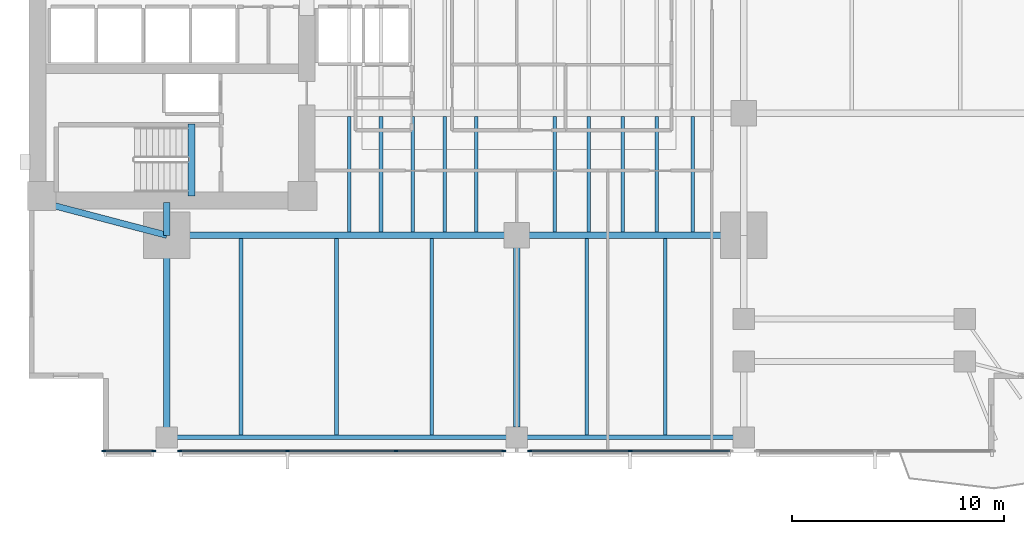
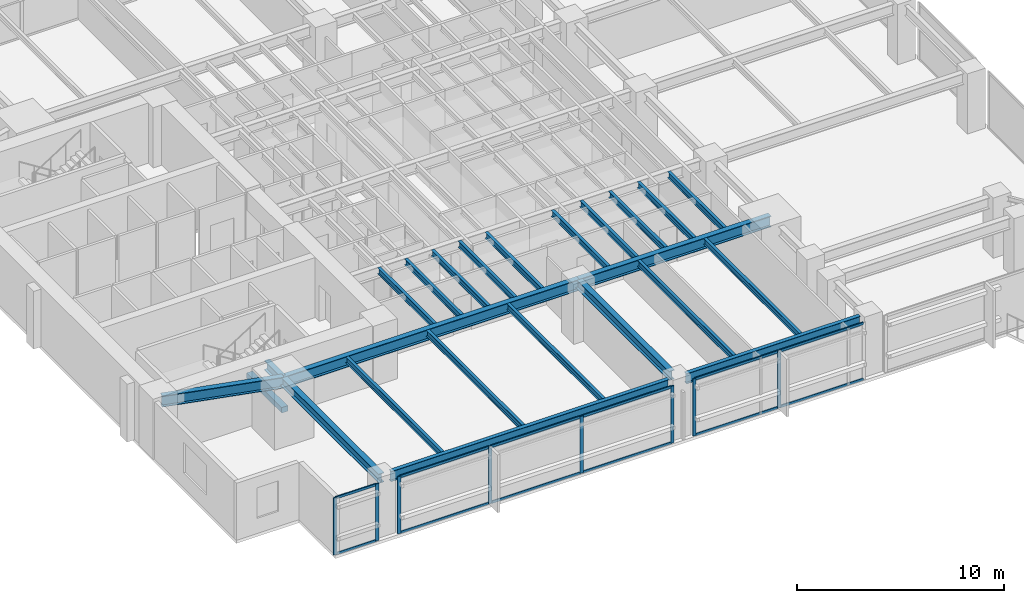
# One storey, part 2 of 15: 24 beams, 20 members, 3 elements without a shape of their own.
"""IFC4 building model written with IfcOpenShell, lengths in metres."""

from ifc_helpers import new_model, si_unit, direction, frame, origin, origin_2d, place, context, subcontext, project, spatial, rectangle, i_section, extrude, material, layer, layer_set, material_profile, profile_set, type_object, element, aggregate, save


model = new_model("IFC4")

# Units and contexts
model_context = context("Model", 3, precision=1e-05, world=origin(), true_north=direction((0.0, 1.0)))
body_context = subcontext(model_context, "Body", "Model", "MODEL_VIEW")
ifc_project = project(units=[si_unit("LENGTHUNIT", "METRE"), si_unit("AREAUNIT", "SQUARE_METRE"), si_unit("VOLUMEUNIT", "CUBIC_METRE"), si_unit("PLANEANGLEUNIT", "RADIAN"), si_unit("MASSUNIT", "GRAM", prefix="KILO")], contexts=[model_context])

# Site, building, storey
site_placement = place(None, origin())
site = spatial("IfcSite", under=ifc_project, at=site_placement, CompositionType="ELEMENT")
building_placement = place(site_placement, origin())
building = spatial("IfcBuilding", under=site, at=building_placement, Name="Kinhvarn Gate Tower", CompositionType="ELEMENT")
storey_placement = place(building_placement, frame((0.0, 0.0, 68.199951171875)))
storey = spatial("IfcBuildingStorey", under=building, at=storey_placement, Name="L17", CompositionType="ELEMENT", Elevation=68.199951171875)

# Beam
ifc_material_1 = material(Name="Concrete C50/60", Category="concrete")
ifc_material_profile_1 = material_profile(ifc_material_1, rectangle(XDim=0.340087890625, YDim=0.320068359375, at=origin_2d()), Name="RC 340x320")
ifc_profile_set_1 = profile_set([ifc_material_profile_1], Name="Concrete C50/60")
beam_type_1 = type_object("IfcBeamType", Name="BM-LND-500", PredefinedType="BEAM", material=ifc_profile_set_1)
beam_1_placement = place(storey_placement, frame((12.1650390625, 14.60009765625, -0.159912109375), z_axis=(0.0, 1.0, 0.0), x_axis=(-1.0, 0.0, 0.0)))
element("IfcBeam", 1, at=beam_1_placement, inside=storey, type_object=beam_type_1, Name="Stair ST1 Landing Nosing Beam (L17)", PredefinedType="BEAM", context=body_context, shape_type="SweptSolid", body=[
    extrude(rectangle(XDim=0.340087890625, YDim=0.320068359375, at=origin_2d()), origin(), (0.0, 0.0, 1.0), 3.39990234375),
])

# Curtain wall, members
ifc_material_2 = material(Name="Anodised aluminium AW-6063", Category="aluminium")
ifc_layer = layer(ifc_material_2, 0.179931640625)
ifc_layer_set = layer_set([ifc_layer], Name="Anodised aluminium AW-6063")
curtain_wall_type = type_object("IfcCurtainWallType", Name="CW-SYS-2", PredefinedType="NOTDEFINED", material=ifc_layer_set)
curtain_wall_1_placement = place(storey_placement, origin())
curtain_wall_1 = element("IfcCurtainWall", 2, at=curtain_wall_1_placement, inside=storey, type_object=curtain_wall_type, Name="Curtain Wall CW2 (L17)", PredefinedType="NOTDEFINED")
ifc_material_profile_2 = material_profile(ifc_material_2, rectangle(XDim=0.070068359375, YDim=0.179931640625, at=origin_2d()), Name="ALU 70x180")
ifc_profile_set_2 = profile_set([ifc_material_profile_2], Name="Anodised aluminium AW-6063")
member_type_1 = type_object("IfcMemberType", Name="CW-MUL-180", PredefinedType="MULLION", material=ifc_profile_set_2)
member_1_placement = place(storey_placement, frame((8.034912109375, 2.590087890625, 0.0), z_axis=(0.0, 0.0, 1.0), x_axis=(0.0, 1.0, 0.0)))
member_1 = element("IfcMember", 3, at=member_1_placement, type_object=member_type_1, Name="CW2 mullion 1", PredefinedType="MULLION", context=body_context, shape_type="SweptSolid", body=[
    extrude(rectangle(XDim=0.070068359375, YDim=0.179931640625, at=origin_2d()), origin(), (0.0, 0.0, 1.0), 3.3701171875),
])
member_2_placement = place(storey_placement, frame((10.385009765625, 2.590087890625, 0.0), z_axis=(0.0, 0.0, 1.0), x_axis=(0.0, 1.0, 0.0)))
member_2 = element("IfcMember", 4, at=member_2_placement, type_object=member_type_1, Name="CW2 mullion 2", PredefinedType="MULLION", context=body_context, shape_type="SweptSolid", body=[
    extrude(rectangle(XDim=0.070068359375, YDim=0.179931640625, at=origin_2d()), origin(), (0.0, 0.0, 1.0), 3.3701171875),
])

curtain_wall_2_placement = place(storey_placement, origin())
curtain_wall_2 = element("IfcCurtainWall", 5, at=curtain_wall_2_placement, inside=storey, type_object=curtain_wall_type, Name="Curtain Wall CW2 (L17)", PredefinedType="NOTDEFINED")
member_3_placement = place(storey_placement, frame((11.614990234375, 2.590087890625, 0.0), z_axis=(0.0, 0.0, 1.0), x_axis=(0.0, 1.0, 0.0)))
member_3 = element("IfcMember", 6, at=member_3_placement, type_object=member_type_1, Name="CW2 mullion 1", PredefinedType="MULLION", context=body_context, shape_type="SweptSolid", body=[
    extrude(rectangle(XDim=0.070068359375, YDim=0.179931640625, at=origin_2d()), origin(), (0.0, 0.0, 1.0), 3.3701171875),
])
member_4_placement = place(storey_placement, frame((16.693359375, 2.590087890625, 0.0), z_axis=(0.0, 0.0, 1.0), x_axis=(0.0, 1.0, 0.0)))
member_4 = element("IfcMember", 7, at=member_4_placement, type_object=member_type_1, Name="CW2 mullion 2", PredefinedType="MULLION", context=body_context, shape_type="SweptSolid", body=[
    extrude(rectangle(XDim=0.070068359375, YDim=0.179931640625, at=origin_2d()), origin(), (0.0, 0.0, 1.0), 3.3701171875),
])
member_5_placement = place(storey_placement, frame((21.806640625, 2.590087890625, 0.0), z_axis=(0.0, 0.0, 1.0), x_axis=(0.0, 1.0, 0.0)))
member_5 = element("IfcMember", 8, at=member_5_placement, type_object=member_type_1, Name="CW2 mullion 3", PredefinedType="MULLION", context=body_context, shape_type="SweptSolid", body=[
    extrude(rectangle(XDim=0.070068359375, YDim=0.179931640625, at=origin_2d()), origin(), (0.0, 0.0, 1.0), 3.3701171875),
])
member_6_placement = place(storey_placement, frame((26.885009765625, 2.590087890625, 0.0), z_axis=(0.0, 0.0, 1.0), x_axis=(0.0, 1.0, 0.0)))
member_6 = element("IfcMember", 9, at=member_6_placement, type_object=member_type_1, Name="CW2 mullion 4", PredefinedType="MULLION", context=body_context, shape_type="SweptSolid", body=[
    extrude(rectangle(XDim=0.070068359375, YDim=0.179931640625, at=origin_2d()), origin(), (0.0, 0.0, 1.0), 3.3701171875),
])

curtain_wall_3_placement = place(storey_placement, origin())
curtain_wall_3 = element("IfcCurtainWall", 10, at=curtain_wall_3_placement, inside=storey, type_object=curtain_wall_type, Name="Curtain Wall CW2 (L17)", PredefinedType="NOTDEFINED")
member_7_placement = place(storey_placement, frame((28.114990234375, 2.590087890625, 0.0), z_axis=(0.0, 0.0, 1.0), x_axis=(0.0, 1.0, 0.0)))
member_7 = element("IfcMember", 11, at=member_7_placement, type_object=member_type_1, Name="CW2 mullion 1", PredefinedType="MULLION", context=body_context, shape_type="SweptSolid", body=[
    extrude(rectangle(XDim=0.070068359375, YDim=0.179931640625, at=origin_2d()), origin(), (0.0, 0.0, 1.0), 3.3701171875),
])
member_8_placement = place(storey_placement, frame((32.85009765625, 2.590087890625, 0.0), z_axis=(0.0, 0.0, 1.0), x_axis=(0.0, 1.0, 0.0)))
member_8 = element("IfcMember", 12, at=member_8_placement, type_object=member_type_1, Name="CW2 mullion 2", PredefinedType="MULLION", context=body_context, shape_type="SweptSolid", body=[
    extrude(rectangle(XDim=0.070068359375, YDim=0.179931640625, at=origin_2d()), origin(), (0.0, 0.0, 1.0), 3.3701171875),
])

# Member
ifc_material_profile_3 = material_profile(ifc_material_2, rectangle(XDim=0.070068359375, YDim=0.139892578125, at=origin_2d()), Name="ALU 70x140")
ifc_profile_set_3 = profile_set([ifc_material_profile_3], Name="Anodised aluminium AW-6063")
member_type_2 = type_object("IfcMemberType", Name="CW-TRN-140", PredefinedType="USERDEFINED", material=ifc_profile_set_3)
member_9_placement = place(storey_placement, frame((8.070068359375, 2.590087890625, 0.03515625), z_axis=(1.0, 0.0, 0.0), x_axis=(0.0, 1.0, 0.0)))
member_9 = element("IfcMember", 13, at=member_9_placement, type_object=member_type_2, Name="CW2 transom 1.1", ObjectType="TRANSOM", PredefinedType="USERDEFINED", context=body_context, shape_type="SweptSolid", body=[
    extrude(rectangle(XDim=0.070068359375, YDim=0.139892578125, at=origin_2d()), origin(), (0.0, 0.0, 1.0), 2.280029296875),
])

member_10_placement = place(storey_placement, frame((8.070068359375, 2.590087890625, 3.3349609375), z_axis=(1.0, 0.0, 0.0), x_axis=(0.0, 1.0, 0.0)))
member_10 = element("IfcMember", 14, at=member_10_placement, type_object=member_type_2, Name="CW2 transom 1.2", ObjectType="TRANSOM", PredefinedType="USERDEFINED", context=body_context, shape_type="SweptSolid", body=[
    extrude(rectangle(XDim=0.070068359375, YDim=0.139892578125, at=origin_2d()), origin(), (0.0, 0.0, 1.0), 2.280029296875),
])

aggregate(curtain_wall_1, [member_1, member_2, member_9, member_10])

member_11_placement = place(storey_placement, frame((11.64990234375, 2.590087890625, 0.03515625), z_axis=(1.0, 0.0, 0.0), x_axis=(0.0, 1.0, 0.0)))
member_11 = element("IfcMember", 15, at=member_11_placement, type_object=member_type_2, Name="CW2 transom 1.1", ObjectType="TRANSOM", PredefinedType="USERDEFINED", context=body_context, shape_type="SweptSolid", body=[
    extrude(rectangle(XDim=0.070068359375, YDim=0.139892578125, at=origin_2d()), origin(), (0.0, 0.0, 1.0), 5.008544921875),
])

member_12_placement = place(storey_placement, frame((11.64990234375, 2.590087890625, 3.3349609375), z_axis=(1.0, 0.0, 0.0), x_axis=(0.0, 1.0, 0.0)))
member_12 = element("IfcMember", 16, at=member_12_placement, type_object=member_type_2, Name="CW2 transom 1.2", ObjectType="TRANSOM", PredefinedType="USERDEFINED", context=body_context, shape_type="SweptSolid", body=[
    extrude(rectangle(XDim=0.070068359375, YDim=0.139892578125, at=origin_2d()), origin(), (0.0, 0.0, 1.0), 5.008544921875),
])

member_13_placement = place(storey_placement, frame((16.728271484375, 2.590087890625, 0.03515625), z_axis=(1.0, 0.0, 0.0), x_axis=(0.0, 1.0, 0.0)))
member_13 = element("IfcMember", 17, at=member_13_placement, type_object=member_type_2, Name="CW2 transom 2.1", ObjectType="TRANSOM", PredefinedType="USERDEFINED", context=body_context, shape_type="SweptSolid", body=[
    extrude(rectangle(XDim=0.070068359375, YDim=0.139892578125, at=origin_2d()), origin(), (0.0, 0.0, 1.0), 5.04345703125),
])

member_14_placement = place(storey_placement, frame((16.728271484375, 2.590087890625, 3.3349609375), z_axis=(1.0, 0.0, 0.0), x_axis=(0.0, 1.0, 0.0)))
member_14 = element("IfcMember", 18, at=member_14_placement, type_object=member_type_2, Name="CW2 transom 2.2", ObjectType="TRANSOM", PredefinedType="USERDEFINED", context=body_context, shape_type="SweptSolid", body=[
    extrude(rectangle(XDim=0.070068359375, YDim=0.139892578125, at=origin_2d()), origin(), (0.0, 0.0, 1.0), 5.04345703125),
])

member_15_placement = place(storey_placement, frame((21.841552734375, 2.590087890625, 0.03515625), z_axis=(1.0, 0.0, 0.0), x_axis=(0.0, 1.0, 0.0)))
member_15 = element("IfcMember", 19, at=member_15_placement, type_object=member_type_2, Name="CW2 transom 3.1", ObjectType="TRANSOM", PredefinedType="USERDEFINED", context=body_context, shape_type="SweptSolid", body=[
    extrude(rectangle(XDim=0.070068359375, YDim=0.139892578125, at=origin_2d()), origin(), (0.0, 0.0, 1.0), 5.008544921875),
])

member_16_placement = place(storey_placement, frame((21.841552734375, 2.590087890625, 3.3349609375), z_axis=(1.0, 0.0, 0.0), x_axis=(0.0, 1.0, 0.0)))
member_16 = element("IfcMember", 20, at=member_16_placement, type_object=member_type_2, Name="CW2 transom 3.2", ObjectType="TRANSOM", PredefinedType="USERDEFINED", context=body_context, shape_type="SweptSolid", body=[
    extrude(rectangle(XDim=0.070068359375, YDim=0.139892578125, at=origin_2d()), origin(), (0.0, 0.0, 1.0), 5.008544921875),
])

aggregate(curtain_wall_2, [member_3, member_4, member_5, member_6, member_11, member_12, member_13, member_14, member_15, member_16])

member_17_placement = place(storey_placement, frame((28.14990234375, 2.590087890625, 0.03515625), z_axis=(1.0, 0.0, 0.0), x_axis=(0.0, 1.0, 0.0)))
member_17 = element("IfcMember", 21, at=member_17_placement, type_object=member_type_2, Name="CW2 transom 1.1", ObjectType="TRANSOM", PredefinedType="USERDEFINED", context=body_context, shape_type="SweptSolid", body=[
    extrude(rectangle(XDim=0.070068359375, YDim=0.139892578125, at=origin_2d()), origin(), (0.0, 0.0, 1.0), 4.6650390625),
])

member_18_placement = place(storey_placement, frame((28.14990234375, 2.590087890625, 3.3349609375), z_axis=(1.0, 0.0, 0.0), x_axis=(0.0, 1.0, 0.0)))
member_18 = element("IfcMember", 22, at=member_18_placement, type_object=member_type_2, Name="CW2 transom 1.2", ObjectType="TRANSOM", PredefinedType="USERDEFINED", context=body_context, shape_type="SweptSolid", body=[
    extrude(rectangle(XDim=0.070068359375, YDim=0.139892578125, at=origin_2d()), origin(), (0.0, 0.0, 1.0), 4.6650390625),
])

member_19_placement = place(storey_placement, frame((32.885009765625, 2.590087890625, 0.03515625), z_axis=(1.0, 0.0, 0.0), x_axis=(0.0, 1.0, 0.0)))
member_19 = element("IfcMember", 23, at=member_19_placement, type_object=member_type_2, Name="CW2 transom 2.1", ObjectType="TRANSOM", PredefinedType="USERDEFINED", context=body_context, shape_type="SweptSolid", body=[
    extrude(rectangle(XDim=0.070068359375, YDim=0.139892578125, at=origin_2d()), origin(), (0.0, 0.0, 1.0), 4.6650390625),
])

member_20_placement = place(storey_placement, frame((32.885009765625, 2.590087890625, 3.3349609375), z_axis=(1.0, 0.0, 0.0), x_axis=(0.0, 1.0, 0.0)))
member_20 = element("IfcMember", 24, at=member_20_placement, type_object=member_type_2, Name="CW2 transom 2.2", ObjectType="TRANSOM", PredefinedType="USERDEFINED", context=body_context, shape_type="SweptSolid", body=[
    extrude(rectangle(XDim=0.070068359375, YDim=0.139892578125, at=origin_2d()), origin(), (0.0, 0.0, 1.0), 4.6650390625),
])

aggregate(curtain_wall_3, [member_7, member_8, member_17, member_18, member_19, member_20])

# Beams
ifc_material_3 = material(Name="Steel S355", Category="steel")
ifc_material_profile_4 = material_profile(ifc_material_3, i_section(OverallWidth=0.300048828125, OverallDepth=0.550048828125, WebThickness=0.014892578125, FlangeThickness=0.029052734375, at=origin_2d()), Name="HEB 550")
ifc_profile_set_4 = profile_set([ifc_material_profile_4], Name="Steel S355")
beam_type_2 = type_object("IfcBeamType", Name="STL-HEB550", PredefinedType="BEAM", material=ifc_profile_set_4)
beam_2_placement = place(storey_placement, frame((11.0, 3.219970703125, 3.094970703125), z_axis=(0.0, 1.0, 0.0), x_axis=(-1.0, 0.0, 0.0)))
element("IfcBeam", 25, at=beam_2_placement, inside=storey, type_object=beam_type_2, Name="Floor Beam PG-15 (L17 MCW-S)", PredefinedType="BEAM", context=body_context, shape_type="SweptSolid", body=[
    extrude(i_section(OverallWidth=0.300048828125, OverallDepth=0.550048828125, WebThickness=0.014892578125, FlangeThickness=0.029052734375, at=origin_2d()), origin(), (0.0, 0.0, 1.0), 9.530029296875),
])
beam_3_placement = place(storey_placement, frame((11.0, 12.75, 3.094970703125), z_axis=(0.0, 1.0, 0.0), x_axis=(-1.0, 0.0, 0.0)))
element("IfcBeam", 26, at=beam_3_placement, inside=storey, type_object=beam_type_2, Name="Floor Beam PG-15 (L17 MCW-CS)", PredefinedType="BEAM", context=body_context, shape_type="SweptSolid", body=[
    extrude(i_section(OverallWidth=0.300048828125, OverallDepth=0.550048828125, WebThickness=0.014892578125, FlangeThickness=0.029052734375, at=origin_2d()), origin(), (0.0, 0.0, 1.0), 1.550048828125),
])
beam_4_placement = place(storey_placement, frame((27.5, 3.705078125, 3.094970703125), z_axis=(0.0, 1.0, 0.0), x_axis=(-1.0, 0.0, 0.0)))
element("IfcBeam", 27, at=beam_4_placement, inside=storey, type_object=beam_type_2, Name="Floor Beam PG-15 (L17 SP27-S-TIE)", PredefinedType="BEAM", context=body_context, shape_type="SweptSolid", body=[
    extrude(i_section(OverallWidth=0.300048828125, OverallDepth=0.550048828125, WebThickness=0.014892578125, FlangeThickness=0.029052734375, at=origin_2d()), origin(), (0.0, 0.0, 1.0), 9.044921875),
])
ifc_material_profile_5 = material_profile(ifc_material_3, i_section(OverallWidth=0.300048828125, OverallDepth=0.64990234375, WebThickness=0.01611328125, FlangeThickness=0.031005859375, at=origin_2d()), Name="HEB 650")
ifc_profile_set_5 = profile_set([ifc_material_profile_5], Name="Steel S355")
beam_type_3 = type_object("IfcBeamType", Name="STL-HEB650", PredefinedType="BEAM", material=ifc_profile_set_5)
beam_5_placement = place(storey_placement, frame((11.0, 12.75, 3.045166015625), z_axis=(1.0, 0.0, 0.0), x_axis=(0.0, 1.0, 0.0)))
element("IfcBeam", 28, at=beam_5_placement, inside=storey, type_object=beam_type_3, Name="Floor Beam PG-17 (L17 MG-S1)", PredefinedType="BEAM", context=body_context, shape_type="SweptSolid", body=[
    extrude(i_section(OverallWidth=0.300048828125, OverallDepth=0.64990234375, WebThickness=0.01611328125, FlangeThickness=0.031005859375, at=origin_2d()), origin(), (0.0, 0.0, 1.0), 16.5),
])
beam_6_placement = place(storey_placement, frame((27.5, 12.75, 3.045166015625), z_axis=(1.0, 0.0, 0.0), x_axis=(0.0, 1.0, 0.0)))
element("IfcBeam", 29, at=beam_6_placement, inside=storey, type_object=beam_type_3, Name="Floor Beam PG-17 (L17 MG-S2)", PredefinedType="BEAM", context=body_context, shape_type="SweptSolid", body=[
    extrude(i_section(OverallWidth=0.300048828125, OverallDepth=0.64990234375, WebThickness=0.01611328125, FlangeThickness=0.031005859375, at=origin_2d()), origin(), (0.0, 0.0, 1.0), 10.699951171875),
])
beam_7_placement = place(storey_placement, frame((5.10009765625, 14.300048828125, 3.045166015625), z_axis=(0.967177623957, -0.254101246979, 0.0), x_axis=(0.254101246979, 0.967177623957, 0.0)))
element("IfcBeam", 30, at=beam_7_placement, inside=storey, type_object=beam_type_3, Name="Floor Beam PG-17 (L17 MG-SW-DIAG)", PredefinedType="BEAM", context=body_context, shape_type="SweptSolid", body=[
    extrude(i_section(OverallWidth=0.300048828125, OverallDepth=0.64990234375, WebThickness=0.01611328125, FlangeThickness=0.031005859375, at=origin_2d()), origin(), (0.0, 0.0, 1.0), 6.10009765625),
])
ifc_material_profile_6 = material_profile(ifc_material_3, i_section(OverallWidth=0.169921875, OverallDepth=0.360107421875, WebThickness=0.008056640625, FlangeThickness=0.0126953125, at=origin_2d()), Name="IPE 360")
ifc_profile_set_6 = profile_set([ifc_material_profile_6], Name="Steel S355")
beam_type_4 = type_object("IfcBeamType", Name="STL-IPE360", PredefinedType="JOIST", material=ifc_profile_set_6)
for number, where, z_axis, x_axis, name in (
    (31, (19.60009765625, 12.89990234375, 3.18994140625), (0.0, 1.0, 0.0), (-1.0, 0.0, 0.0), "Floor Joist SB-04 (L17 JC-X196-0)"),
    (32, (21.10009765625, 12.89990234375, 3.18994140625), (0.0, 1.0, 0.0), (-1.0, 0.0, 0.0), "Floor Joist SB-04 (L17 JC-X211-0)"),
    (33, (22.60009765625, 12.89990234375, 3.18994140625), (0.0, 1.0, 0.0), (-1.0, 0.0, 0.0), "Floor Joist SB-04 (L17 JC-X226-0)"),
    (34, (24.10009765625, 12.89990234375, 3.18994140625), (0.0, 1.0, 0.0), (-1.0, 0.0, 0.0), "Floor Joist SB-04 (L17 JC-X241-0)"),
    (35, (25.60009765625, 12.89990234375, 3.18994140625), (0.0, 1.0, 0.0), (-1.0, 0.0, 0.0), "Floor Joist SB-04 (L17 JC-X256-0)"),
    (36, (29.300048828125, 12.89990234375, 3.18994140625), (0.0, 1.0, 0.0), (-1.0, 0.0, 0.0), "Floor Joist SB-04 (L17 JC-X293-0)"),
    (37, (30.89990234375, 12.89990234375, 3.18994140625), (0.0, 1.0, 0.0), (-1.0, 0.0, 0.0), "Floor Joist SB-04 (L17 JC-X309-0)"),
    (38, (32.5, 12.89990234375, 3.18994140625), (0.0, 1.0, 0.0), (-1.0, 0.0, 0.0), "Floor Joist SB-04 (L17 JC-X325-0)"),
    (39, (34.10009765625, 12.89990234375, 3.18994140625), (0.0, 1.0, 0.0), (-1.0, 0.0, 0.0), "Floor Joist SB-04 (L17 JC-X341-0)"),
    (40, (35.800048828125, 12.89990234375, 3.18994140625), (0.0, 1.0, 0.0), (-1.0, 0.0, 0.0), "Floor Joist SB-04 (L17 JC-X358-0)"),
):
    element("IfcBeam", number, at=place(storey_placement, frame(where, z_axis=z_axis, x_axis=x_axis)), inside=storey, type_object=beam_type_4, Name=name, PredefinedType="JOIST", context=body_context, shape_type="SweptSolid", body=[
        extrude(i_section(OverallWidth=0.169921875, OverallDepth=0.360107421875, WebThickness=0.008056640625, FlangeThickness=0.0126953125, at=origin_2d()), origin(), (0.0, 0.0, 1.0), 5.4501953125),
    ])
for number, where, z_axis, x_axis, name in (
    (41, (14.5, 3.330078125, 3.18994140625), (0.0, 1.0, 0.0), (-1.0, 0.0, 0.0), "Floor Joist SB-04 (L17 JS-X145)"),
    (42, (19.0, 3.330078125, 3.18994140625), (0.0, 1.0, 0.0), (-1.0, 0.0, 0.0), "Floor Joist SB-04 (L17 JS-X190)"),
    (43, (23.5, 3.330078125, 3.18994140625), (0.0, 1.0, 0.0), (-1.0, 0.0, 0.0), "Floor Joist SB-04 (L17 JS-X235)"),
    (44, (30.800048828125, 3.330078125, 3.18994140625), (0.0, 1.0, 0.0), (-1.0, 0.0, 0.0), "Floor Joist SB-04 (L17 JS-X308)"),
    (45, (34.5, 3.330078125, 3.18994140625), (0.0, 1.0, 0.0), (-1.0, 0.0, 0.0), "Floor Joist SB-04 (L17 JS-X345)"),
):
    element("IfcBeam", number, at=place(storey_placement, frame(where, z_axis=z_axis, x_axis=x_axis)), inside=storey, type_object=beam_type_4, Name=name, PredefinedType="JOIST", context=body_context, shape_type="SweptSolid", body=[
        extrude(i_section(OverallWidth=0.169921875, OverallDepth=0.360107421875, WebThickness=0.008056640625, FlangeThickness=0.0126953125, at=origin_2d()), origin(), (0.0, 0.0, 1.0), 9.27001953125),
    ])
ifc_material_profile_7 = material_profile(ifc_material_3, i_section(OverallWidth=0.219970703125, OverallDepth=0.60009765625, WebThickness=0.011962890625, FlangeThickness=0.01904296875, at=origin_2d()), Name="IPE 600")
ifc_profile_set_7 = profile_set([ifc_material_profile_7], Name="Steel S355")
beam_type_5 = type_object("IfcBeamType", Name="STL-IPE600", PredefinedType="SPANDREL", material=ifc_profile_set_7)
beam_8_placement = place(storey_placement, frame((11.485107421875, 3.219970703125, 3.070068359375), z_axis=(1.0, 0.0, 0.0), x_axis=(0.0, 1.0, 0.0)))
element("IfcBeam", 46, at=beam_8_placement, inside=storey, type_object=beam_type_5, Name="Floor Spandrel SB-09 (L17 SP-S1)", PredefinedType="SPANDREL", context=body_context, shape_type="SweptSolid", body=[
    extrude(i_section(OverallWidth=0.219970703125, OverallDepth=0.60009765625, WebThickness=0.011962890625, FlangeThickness=0.01904296875, at=origin_2d()), origin(), (0.0, 0.0, 1.0), 15.52978515625),
])
beam_9_placement = place(storey_placement, frame((27.985107421875, 3.219970703125, 3.070068359375), z_axis=(1.0, 0.0, 0.0), x_axis=(0.0, 1.0, 0.0)))
element("IfcBeam", 47, at=beam_9_placement, inside=storey, type_object=beam_type_5, Name="Floor Spandrel SB-09 (L17 SP-S2)", PredefinedType="SPANDREL", context=body_context, shape_type="SweptSolid", body=[
    extrude(i_section(OverallWidth=0.219970703125, OverallDepth=0.60009765625, WebThickness=0.011962890625, FlangeThickness=0.01904296875, at=origin_2d()), origin(), (0.0, 0.0, 1.0), 9.72998046875),
])

save(model, "model.ifc")
